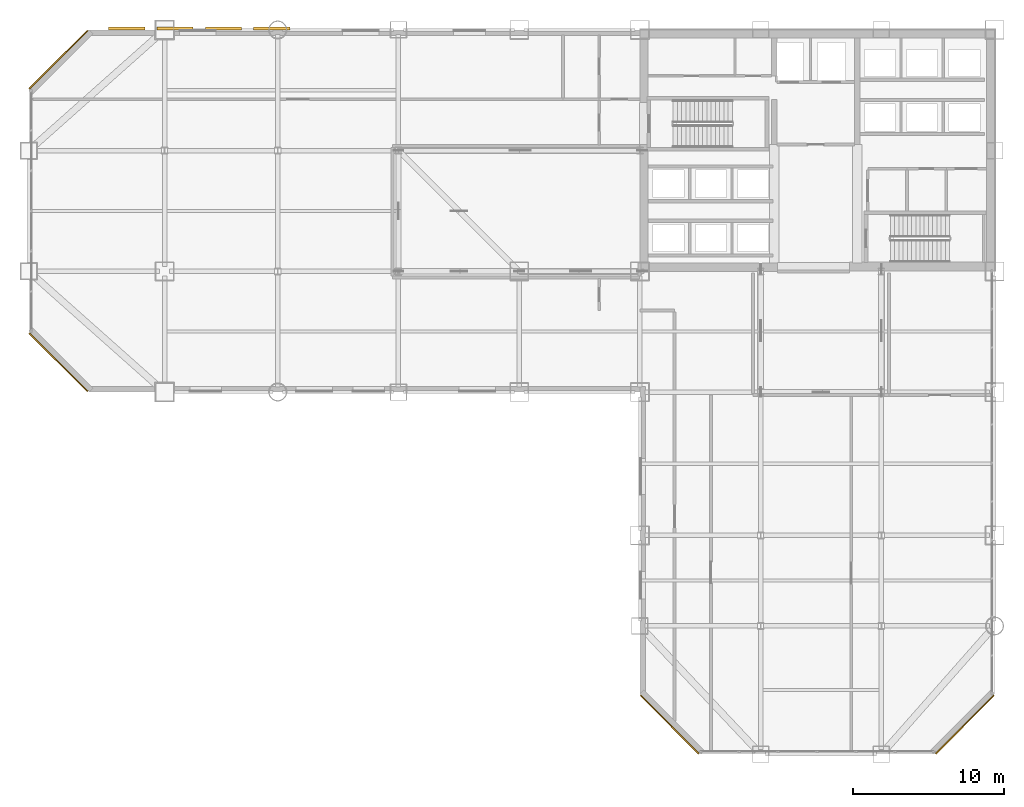
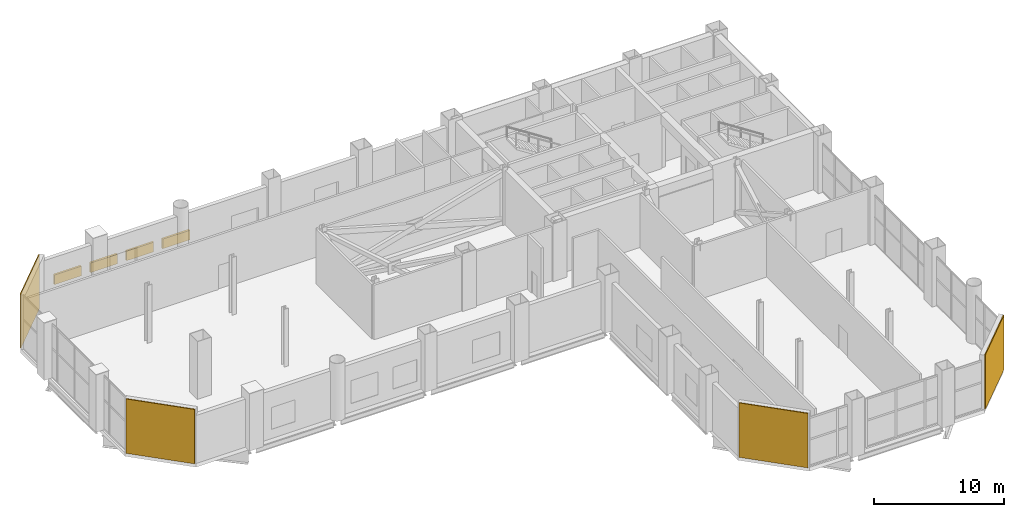
# One storey, part 25 of 26: 4 coverings, 4 shading devices.
"""IFC4 building model written with IfcOpenShell, lengths in metres."""

from ifc_helpers import new_model, si_unit, direction, frame, origin, origin_2d, place, context, subcontext, project, spatial, rectangle, extrude, material, layer, layer_set, type_object, element, save


model = new_model("IFC4")

# Units and contexts
model_context = context("Model", 3, precision=1e-05, world=origin(), true_north=direction((0.0, 1.0)))
body_context = subcontext(model_context, "Body", "Model", "MODEL_VIEW")
ifc_project = project(units=[si_unit("LENGTHUNIT", "METRE"), si_unit("AREAUNIT", "SQUARE_METRE"), si_unit("VOLUMEUNIT", "CUBIC_METRE"), si_unit("PLANEANGLEUNIT", "RADIAN"), si_unit("MASSUNIT", "GRAM", prefix="KILO")], contexts=[model_context])

# Site, building, storey
site_placement = place(None, origin())
site = spatial("IfcSite", under=ifc_project, at=site_placement, CompositionType="ELEMENT")
building_placement = place(site_placement, origin())
building = spatial("IfcBuilding", under=site, at=building_placement, Name="Qianrong Seaharbour Tower", CompositionType="ELEMENT")
storey_placement = place(building_placement, frame((0.0, 0.0, 108.199951171875)))
storey = spatial("IfcBuildingStorey", under=building, at=storey_placement, Name="L26", CompositionType="ELEMENT", Elevation=108.199951171875)

# Coverings
ifc_material_1 = material(Name="Unitised red brick cladding on Precast concrete C45/55", Category="masonry")
ifc_layer = layer(ifc_material_1, 0.080078125)
ifc_layer_set = layer_set([ifc_layer], Name="Unitised red brick cladding on Precast concrete C45/55")
covering_type = type_object("IfcCoveringType", Name="COV-CLAD-RED-BRICK-80", PredefinedType="CLADDING", material=ifc_layer_set)
for number, where, z_axis, x_axis, name in (
    (1, (1.9716796875, 29.9716796875, 0.0), (0.0, 0.0, 1.0), (-0.707106781187, 0.707106781187, 0.0), "L26 Chamfer Corner Brick Cladding 02"),
    (2, (1.9716796875, 50.0283203125, 0.0), (0.0, 0.0, 1.0), (0.707106781187, 0.707106781187, 0.0), "L26 Chamfer Corner Brick Cladding 04"),
    (3, (62.0283203125, 5.9716796875, 0.0), (0.0, 0.0, 1.0), (-0.707106781187, -0.707106781187, 0.0), "L26 Chamfer Corner Brick Cladding 07"),
    (4, (42.4716796875, 5.9716796875, 0.0), (0.0, 0.0, 1.0), (-0.707106781187, 0.707106781187, 0.0), "L26 Chamfer Corner Brick Cladding 09"),
):
    element("IfcCovering", number, at=place(storey_placement, frame(where, z_axis=z_axis, x_axis=x_axis)), inside=storey, type_object=covering_type, Name=name, PredefinedType="CLADDING", context=body_context, shape_type="SweptSolid", body=[
        extrude(rectangle(XDim=5.456787109375, YDim=0.080078125, at=origin_2d()), origin(), (0.0, 0.0, 1.0), 5.10009765625),
    ])

# Shading devices
ifc_material_2 = material(Name="Anodised aluminium storm-proof louvre assembly", Category="aluminium")
shading_device_type = type_object("IfcShadingDeviceType", Name="SHD-LOUVRE-JALOUSIE-180", PredefinedType="JALOUSIE", material=ifc_material_2)
for number, where, z_axis, x_axis, name in (
    (5, (6.5, 52.0849609375, 1.75), (0.0, 0.0, 1.0), (1.0, 0.0, 0.0), "L26 Acoustic Storm Louvre Panel 1"),
    (6, (9.699951171875, 52.0849609375, 1.75), (0.0, 0.0, 1.0), (1.0, 0.0, 0.0), "L26 Acoustic Storm Louvre Panel 2"),
    (7, (12.89990234375, 52.0849609375, 1.75), (0.0, 0.0, 1.0), (1.0, 0.0, 0.0), "L26 Acoustic Storm Louvre Panel 3"),
    (8, (16.10009765625, 52.0849609375, 1.75), (0.0, 0.0, 1.0), (1.0, 0.0, 0.0), "L26 Acoustic Storm Louvre Panel 4"),
):
    element("IfcShadingDevice", number, at=place(storey_placement, frame(where, z_axis=z_axis, x_axis=x_axis)), inside=storey, type_object=shading_device_type, Name=name, PredefinedType="JALOUSIE", context=body_context, shape_type="SweptSolid", body=[
        extrude(rectangle(XDim=2.39990234375, YDim=0.179931640625, at=origin_2d()), origin(), (0.0, 0.0, 1.0), 0.89990234375),
    ])

save(model, "model.ifc")
